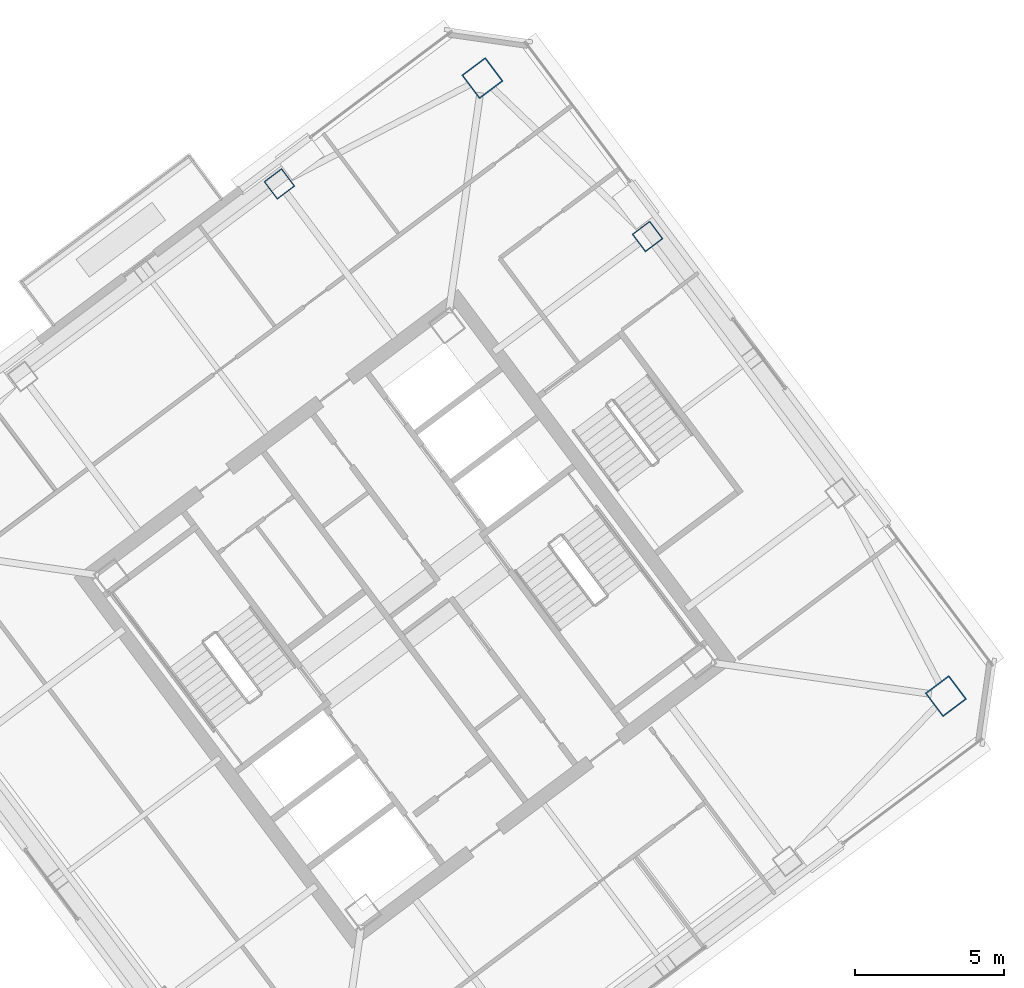
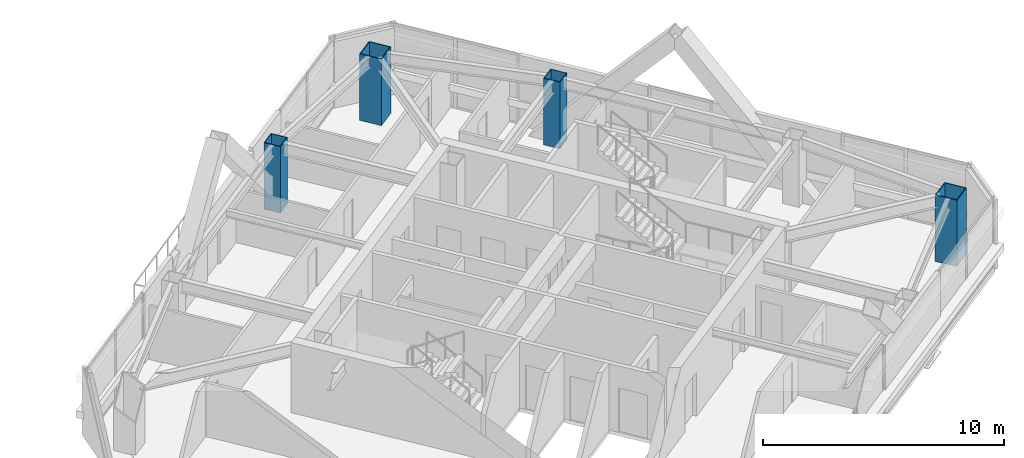
# One storey, part 2 of 39: 4 columns.
"""IFC4 building model written with IfcOpenShell, lengths in metres."""

from ifc_helpers import new_model, si_unit, direction, frame, origin, origin_2d, place, context, subcontext, project, spatial, hollow_rectangle, extrude, material, material_profile, profile_set, type_object, element, save


model = new_model("IFC4")

# Units and contexts
model_context = context("Model", 3, precision=1e-05, world=origin(), true_north=direction((0.0, 1.0)))
body_context = subcontext(model_context, "Body", "Model", "MODEL_VIEW")
ifc_project = project(units=[si_unit("LENGTHUNIT", "METRE"), si_unit("AREAUNIT", "SQUARE_METRE"), si_unit("VOLUMEUNIT", "CUBIC_METRE"), si_unit("PLANEANGLEUNIT", "RADIAN"), si_unit("MASSUNIT", "GRAM", prefix="KILO")], contexts=[model_context])

# Site, building, storey
site_placement = place(None, origin())
site = spatial("IfcSite", under=ifc_project, at=site_placement, CompositionType="ELEMENT")
building_placement = place(site_placement, origin())
building = spatial("IfcBuilding", under=site, at=building_placement, Name="Tashvorn Skyway Center", CompositionType="ELEMENT")
storey_placement = place(building_placement, frame((0.0, 0.0, 239.699951171875)))
storey = spatial("IfcBuildingStorey", under=building, at=storey_placement, Name="L65", CompositionType="ELEMENT", Elevation=239.699951171875)

# Columns
ifc_material = material(Name="Steel ASTM A572 Grade 50", Category="steel")
ifc_material_profile_1 = material_profile(ifc_material, hollow_rectangle(XDim=1.0, YDim=1.0, WallThickness=0.0400390625, at=origin_2d()), Name="BOX1000x1000x40")
ifc_profile_set_1 = profile_set([ifc_material_profile_1], Name="Steel ASTM A572 Grade 50")
column_type_1 = type_object("IfcColumnType", Name="COL-BOX1000x1000x40", PredefinedType="COLUMN", material=ifc_profile_set_1)
for number, where, z_axis, x_axis, name in (
    (1, (132.199951171875, 29.39990234375, 0.0), (0.0, 0.0, 1.0), (0.799999996291, 0.600000004945, 0.0), "Tower 2 L65 Mega-Column MC-SE"),
    (2, (116.60009765625, 50.199951171875, 0.0), (0.0, 0.0, 1.0), (0.799999996291, 0.600000004945, 0.0), "Tower 2 L65 Mega-Column MC-NE"),
):
    element("IfcColumn", number, at=place(storey_placement, frame(where, z_axis=z_axis, x_axis=x_axis)), inside=storey, type_object=column_type_1, Name=name, PredefinedType="COLUMN", context=body_context, shape_type="SweptSolid", body=[
        extrude(hollow_rectangle(XDim=1.0, YDim=1.0, WallThickness=0.0400390625, at=origin_2d()), origin(), (0.0, 0.0, 1.0), 3.3701171875),
    ])
ifc_material_profile_2 = material_profile(ifc_material, hollow_rectangle(XDim=0.75, YDim=0.75, WallThickness=0.031982421875, at=origin_2d()), Name="BOX750x750x32")
ifc_profile_set_2 = profile_set([ifc_material_profile_2], Name="Steel ASTM A572 Grade 50")
column_type_2 = type_object("IfcColumnType", Name="COL-BOX750x750x32", PredefinedType="COLUMN", material=ifc_profile_set_2)
for number, where, z_axis, x_axis, name in (
    (3, (122.159912109375, 44.8701171875, 0.0), (0.0, 0.0, 1.0), (0.799999996291, 0.600000004945, 0.0), "Tower 2 L65 Perimeter Column FC-E2"),
    (4, (109.77001953125, 46.639892578125, 0.0), (0.0, 0.0, 1.0), (0.799999996291, 0.600000004945, 0.0), "Tower 2 L65 Perimeter Column FC-N1"),
):
    element("IfcColumn", number, at=place(storey_placement, frame(where, z_axis=z_axis, x_axis=x_axis)), inside=storey, type_object=column_type_2, Name=name, PredefinedType="COLUMN", context=body_context, shape_type="SweptSolid", body=[
        extrude(hollow_rectangle(XDim=0.75, YDim=0.75, WallThickness=0.031982421875, at=origin_2d()), origin(), (0.0, 0.0, 1.0), 3.3701171875),
    ])

save(model, "model.ifc")
